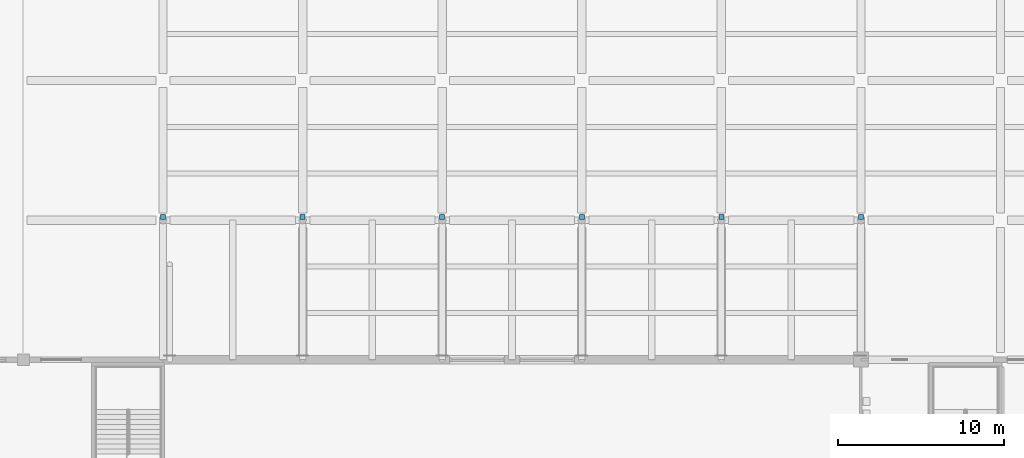
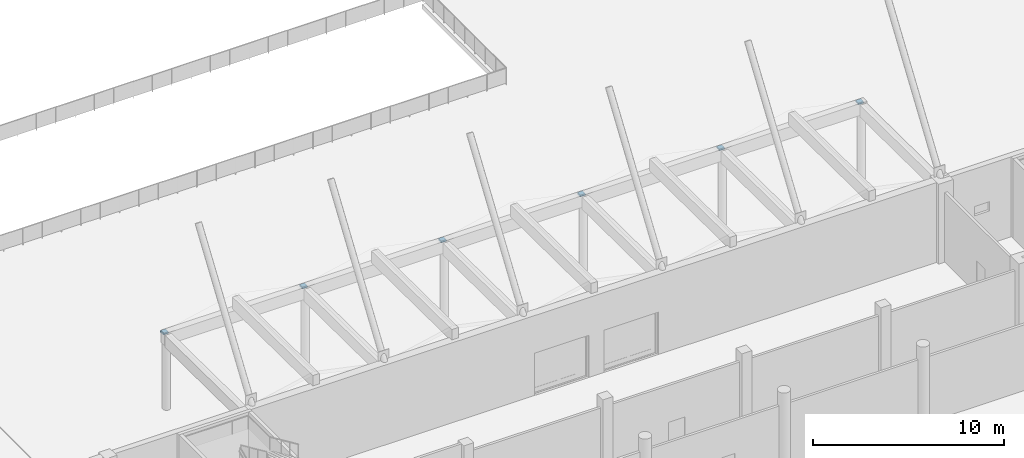
# One storey, part 46 of 74: 6 discrete accessories.
"""IFC4 building model written with IfcOpenShell, lengths in metres."""

from ifc_helpers import new_model, si_unit, direction, frame, origin, origin_2d, place, context, subcontext, project, spatial, rectangle, extrude, material, type_object, element, save


model = new_model("IFC4")

# Units and contexts
model_context = context("Model", 3, precision=1e-05, world=origin(), true_north=direction((0.0, 1.0)))
body_context = subcontext(model_context, "Body", "Model", "MODEL_VIEW")
ifc_project = project(units=[si_unit("LENGTHUNIT", "METRE"), si_unit("AREAUNIT", "SQUARE_METRE"), si_unit("VOLUMEUNIT", "CUBIC_METRE"), si_unit("PLANEANGLEUNIT", "RADIAN"), si_unit("MASSUNIT", "GRAM", prefix="KILO")], contexts=[model_context])

# Site, building, storey
site_placement = place(None, origin())
site = spatial("IfcSite", under=ifc_project, at=site_placement, CompositionType="ELEMENT")
building_placement = place(site_placement, origin())
building = spatial("IfcBuilding", under=site, at=building_placement, Name="Rulbaag Community and Learning Centre", CompositionType="ELEMENT")
storey_placement = place(building_placement, origin())
storey = spatial("IfcBuildingStorey", under=building, at=storey_placement, Name="L00", CompositionType="ELEMENT", Elevation=0.0)

# Discrete accessories
ifc_material = material(Name="Concrete M40", Category="concrete")
discrete_accessory_type = type_object("IfcDiscreteAccessoryType", Name="SC-1", PredefinedType="USERDEFINED", material=ifc_material)
for number, where, z_axis, x_axis, name in (
    (1, (42.0, 59.0, 4.676513671875), (0.0, 0.0, 1.0), (1.0, 0.0, 0.0), "Porch scupper"),
    (2, (50.39990234375, 59.0, 4.676513671875), (0.0, 0.0, 1.0), (1.0, 0.0, 0.0), "Porch scupper"),
    (3, (58.800048828125, 59.0, 4.676513671875), (0.0, 0.0, 1.0), (1.0, 0.0, 0.0), "Porch scupper"),
    (4, (67.199951171875, 59.0, 4.676513671875), (0.0, 0.0, 1.0), (1.0, 0.0, 0.0), "Porch scupper"),
    (5, (75.60009765625, 59.0, 4.676513671875), (0.0, 0.0, 1.0), (1.0, 0.0, 0.0), "Porch scupper"),
    (6, (84.0, 59.0, 4.676513671875), (0.0, 0.0, 1.0), (1.0, 0.0, 0.0), "Porch scupper"),
):
    element("IfcDiscreteAccessory", number, at=place(storey_placement, frame(where, z_axis=z_axis, x_axis=x_axis)), inside=storey, type_object=discrete_accessory_type, Name=name, ObjectType="SCUPPER", PredefinedType="USERDEFINED", context=body_context, shape_type="SweptSolid", body=[
        extrude(rectangle(XDim=0.300048828125, YDim=0.300048828125, at=origin_2d()), origin(), (0.0, 0.0, 1.0), 0.1201171875),
    ])

save(model, "model.ifc")
